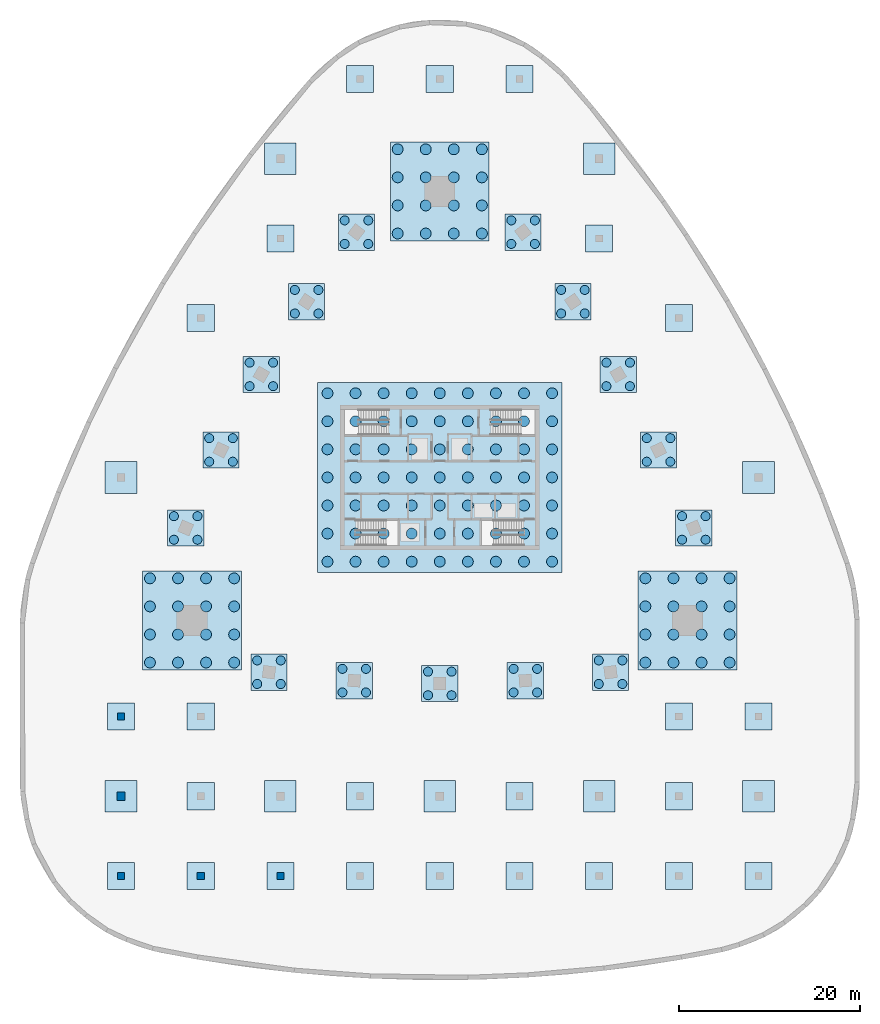
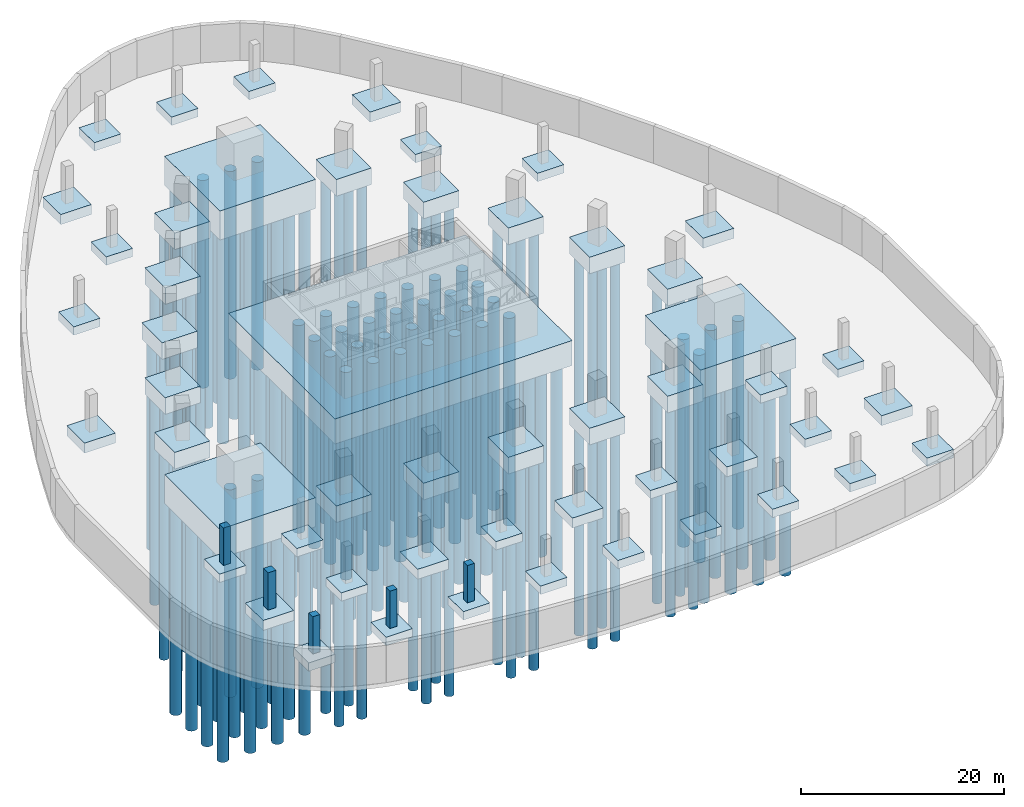
# One storey, part 1 of 8: 171 piles, 52 footings, 5 columns.
"""IFC4 building model written with IfcOpenShell, lengths in metres."""

from ifc_helpers import new_model, si_unit, direction, frame, origin, origin_2d, place, context, subcontext, project, spatial, rectangle, circle, extrude, material, layer, layer_set, material_profile, profile_set, type_object, element, save


model = new_model("IFC4")

# Units and contexts
model_context = context("Model", 3, precision=1e-05, world=origin(), true_north=direction((0.0, 1.0)))
body_context = subcontext(model_context, "Body", "Model", "MODEL_VIEW")
ifc_project = project(units=[si_unit("LENGTHUNIT", "METRE"), si_unit("AREAUNIT", "SQUARE_METRE"), si_unit("VOLUMEUNIT", "CUBIC_METRE"), si_unit("PLANEANGLEUNIT", "RADIAN"), si_unit("MASSUNIT", "GRAM", prefix="KILO")], contexts=[model_context])

# Site, building, storey
site_placement = place(None, origin())
site = spatial("IfcSite", under=ifc_project, at=site_placement, CompositionType="ELEMENT")
building_placement = place(site_placement, origin())
building = spatial("IfcBuilding", under=site, at=building_placement, Name="Sierra Prisma Convention Tower", CompositionType="ELEMENT")
storey_placement = place(building_placement, frame((0.0, 0.0, -9.0)))
storey = spatial("IfcBuildingStorey", under=building, at=storey_placement, Name="B2", CompositionType="ELEMENT", Elevation=-9.0)

# Footings
ifc_material_1 = material(Name="Concrete C40/50", Category="concrete")
footing_type_1 = type_object("IfcFootingType", Name="Basement column pad", PredefinedType="PAD_FOOTING", material=ifc_material_1)
for number, where, z_axis, x_axis, name in (
    (1, (-35.199951171875, -44.0, -1.0), (0.0, 0.0, 1.0), (1.0, 0.0, 0.0), "Basement column pad"),
    (2, (-35.199951171875, -26.39990234375, -1.0), (0.0, 0.0, 1.0), (1.0, 0.0, 0.0), "Basement column pad"),
    (3, (-26.39990234375, -44.0, -1.0), (0.0, 0.0, 1.0), (1.0, 0.0, 0.0), "Basement column pad"),
    (4, (-26.39990234375, -35.199951171875, -1.0), (0.0, 0.0, 1.0), (1.0, 0.0, 0.0), "Basement column pad"),
    (5, (-26.39990234375, -26.39990234375, -1.0), (0.0, 0.0, 1.0), (1.0, 0.0, 0.0), "Basement column pad"),
    (6, (-26.39990234375, 17.60009765625, -1.0), (0.0, 0.0, 1.0), (1.0, 0.0, 0.0), "Basement column pad"),
    (7, (-17.60009765625, -44.0, -1.0), (0.0, 0.0, 1.0), (1.0, 0.0, 0.0), "Basement column pad"),
    (8, (-17.60009765625, 26.39990234375, -1.0), (0.0, 0.0, 1.0), (1.0, 0.0, 0.0), "Basement column pad"),
    (9, (-8.800048828125, -44.0, -1.0), (0.0, 0.0, 1.0), (1.0, 0.0, 0.0), "Basement column pad"),
    (10, (-8.800048828125, -35.199951171875, -1.0), (0.0, 0.0, 1.0), (1.0, 0.0, 0.0), "Basement column pad"),
    (11, (-8.800048828125, 44.0, -1.0), (0.0, 0.0, 1.0), (1.0, 0.0, 0.0), "Basement column pad"),
    (12, (0.0, -44.0, -1.0), (0.0, 0.0, 1.0), (1.0, 0.0, 0.0), "Basement column pad"),
    (13, (0.0, 44.0, -1.0), (0.0, 0.0, 1.0), (1.0, 0.0, 0.0), "Basement column pad"),
    (14, (8.800048828125, -44.0, -1.0), (0.0, 0.0, 1.0), (1.0, 0.0, 0.0), "Basement column pad"),
    (15, (8.800048828125, -35.199951171875, -1.0), (0.0, 0.0, 1.0), (1.0, 0.0, 0.0), "Basement column pad"),
    (16, (8.800048828125, 44.0, -1.0), (0.0, 0.0, 1.0), (1.0, 0.0, 0.0), "Basement column pad"),
    (17, (17.60009765625, -44.0, -1.0), (0.0, 0.0, 1.0), (1.0, 0.0, 0.0), "Basement column pad"),
    (18, (17.60009765625, 26.39990234375, -1.0), (0.0, 0.0, 1.0), (1.0, 0.0, 0.0), "Basement column pad"),
    (19, (26.39990234375, -44.0, -1.0), (0.0, 0.0, 1.0), (1.0, 0.0, 0.0), "Basement column pad"),
    (20, (26.39990234375, -35.199951171875, -1.0), (0.0, 0.0, 1.0), (1.0, 0.0, 0.0), "Basement column pad"),
    (21, (26.39990234375, -26.39990234375, -1.0), (0.0, 0.0, 1.0), (1.0, 0.0, 0.0), "Basement column pad"),
    (22, (26.39990234375, 17.60009765625, -1.0), (0.0, 0.0, 1.0), (1.0, 0.0, 0.0), "Basement column pad"),
    (23, (35.199951171875, -44.0, -1.0), (0.0, 0.0, 1.0), (1.0, 0.0, 0.0), "Basement column pad"),
    (24, (35.199951171875, -26.39990234375, -1.0), (0.0, 0.0, 1.0), (1.0, 0.0, 0.0), "Basement column pad"),
):
    element("IfcFooting", number, at=place(storey_placement, frame(where, z_axis=z_axis, x_axis=x_axis)), inside=storey, type_object=footing_type_1, Name=name, PredefinedType="PAD_FOOTING", context=body_context, shape_type="SweptSolid", body=[
        extrude(rectangle(XDim=3.0, YDim=3.0, at=origin_2d()), origin(), (0.0, 0.0, 1.0), 1.0),
    ])

# Piles
ifc_material_2 = material(Name="Concrete C35/45", Category="concrete")
ifc_material_profile_1 = material_profile(ifc_material_2, circle(Radius=0.5, at=origin_2d()), Name="D1000")
ifc_profile_set_1 = profile_set([ifc_material_profile_1], Name="Concrete C35/45")
pile_type_1 = type_object("IfcPileType", Name="Bored pile D1000", PredefinedType="BORED", material=ifc_profile_set_1)
for number, where, z_axis, x_axis, name in (
    (25, (-20.159912109375, -22.80810546875, -1.89990234375), (0.0, 0.0, -1.0), (1.0, 0.0, 0.0), "Bored pile 001 01"),
    (26, (-20.159912109375, -20.208251953125, -1.89990234375), (0.0, 0.0, -1.0), (1.0, 0.0, 0.0), "Bored pile 001 02"),
    (27, (-17.559814453125, -22.80810546875, -1.89990234375), (0.0, 0.0, -1.0), (1.0, 0.0, 0.0), "Bored pile 001 03"),
    (28, (-17.559814453125, -20.208251953125, -1.89990234375), (0.0, 0.0, -1.0), (1.0, 0.0, 0.0), "Bored pile 001 04"),
    (29, (-10.75048828125, -23.7392578125, -1.89990234375), (0.0, 0.0, -1.0), (1.0, 0.0, 0.0), "Bored pile 002 01"),
    (30, (-10.75048828125, -21.13916015625, -1.89990234375), (0.0, 0.0, -1.0), (1.0, 0.0, 0.0), "Bored pile 002 02"),
    (31, (-8.150390625, -23.7392578125, -1.89990234375), (0.0, 0.0, -1.0), (1.0, 0.0, 0.0), "Bored pile 002 03"),
    (32, (-8.150390625, -21.13916015625, -1.89990234375), (0.0, 0.0, -1.0), (1.0, 0.0, 0.0), "Bored pile 002 04"),
    (33, (-1.300048828125, -24.050048828125, -1.89990234375), (0.0, 0.0, -1.0), (1.0, 0.0, 0.0), "Bored pile 003 01"),
    (34, (-1.300048828125, -21.449951171875, -1.89990234375), (0.0, 0.0, -1.0), (1.0, 0.0, 0.0), "Bored pile 003 02"),
    (35, (1.300048828125, -24.050048828125, -1.89990234375), (0.0, 0.0, -1.0), (1.0, 0.0, 0.0), "Bored pile 003 03"),
    (36, (1.300048828125, -21.449951171875, -1.89990234375), (0.0, 0.0, -1.0), (1.0, 0.0, 0.0), "Bored pile 003 04"),
    (37, (8.150390625, -23.7392578125, -1.89990234375), (0.0, 0.0, -1.0), (1.0, 0.0, 0.0), "Bored pile 004 01"),
    (38, (8.150390625, -21.13916015625, -1.89990234375), (0.0, 0.0, -1.0), (1.0, 0.0, 0.0), "Bored pile 004 02"),
    (39, (10.75048828125, -23.7392578125, -1.89990234375), (0.0, 0.0, -1.0), (1.0, 0.0, 0.0), "Bored pile 004 03"),
    (40, (10.75048828125, -21.13916015625, -1.89990234375), (0.0, 0.0, -1.0), (1.0, 0.0, 0.0), "Bored pile 004 04"),
    (41, (17.559814453125, -22.80810546875, -1.89990234375), (0.0, 0.0, -1.0), (1.0, 0.0, 0.0), "Bored pile 005 01"),
    (42, (17.559814453125, -20.208251953125, -1.89990234375), (0.0, 0.0, -1.0), (1.0, 0.0, 0.0), "Bored pile 005 02"),
    (43, (20.159912109375, -22.80810546875, -1.89990234375), (0.0, 0.0, -1.0), (1.0, 0.0, 0.0), "Bored pile 005 03"),
    (44, (20.159912109375, -20.208251953125, -1.89990234375), (0.0, 0.0, -1.0), (1.0, 0.0, 0.0), "Bored pile 005 04"),
    (45, (26.756591796875, -6.87890625, -1.89990234375), (0.0, 0.0, -1.0), (1.0, 0.0, 0.0), "Bored pile 006 01"),
    (46, (26.756591796875, -4.279052734375, -1.89990234375), (0.0, 0.0, -1.0), (1.0, 0.0, 0.0), "Bored pile 006 02"),
    (47, (29.356689453125, -6.87890625, -1.89990234375), (0.0, 0.0, -1.0), (1.0, 0.0, 0.0), "Bored pile 006 03"),
    (48, (29.356689453125, -4.279052734375, -1.89990234375), (0.0, 0.0, -1.0), (1.0, 0.0, 0.0), "Bored pile 006 04"),
    (49, (22.858154296875, 1.7353515625, -1.89990234375), (0.0, 0.0, -1.0), (1.0, 0.0, 0.0), "Bored pile 007 01"),
    (50, (22.858154296875, 4.33544921875, -1.89990234375), (0.0, 0.0, -1.0), (1.0, 0.0, 0.0), "Bored pile 007 02"),
    (51, (25.4580078125, 1.7353515625, -1.89990234375), (0.0, 0.0, -1.0), (1.0, 0.0, 0.0), "Bored pile 007 03"),
    (52, (25.4580078125, 4.33544921875, -1.89990234375), (0.0, 0.0, -1.0), (1.0, 0.0, 0.0), "Bored pile 007 04"),
    (53, (18.402099609375, 10.074951171875, -1.89990234375), (0.0, 0.0, -1.0), (1.0, 0.0, 0.0), "Bored pile 008 01"),
    (54, (18.402099609375, 12.675048828125, -1.89990234375), (0.0, 0.0, -1.0), (1.0, 0.0, 0.0), "Bored pile 008 02"),
    (55, (21.002197265625, 10.074951171875, -1.89990234375), (0.0, 0.0, -1.0), (1.0, 0.0, 0.0), "Bored pile 008 03"),
    (56, (21.002197265625, 12.675048828125, -1.89990234375), (0.0, 0.0, -1.0), (1.0, 0.0, 0.0), "Bored pile 008 04"),
    (57, (13.40771484375, 18.10400390625, -1.89990234375), (0.0, 0.0, -1.0), (1.0, 0.0, 0.0), "Bored pile 009 01"),
    (58, (13.40771484375, 20.703857421875, -1.89990234375), (0.0, 0.0, -1.0), (1.0, 0.0, 0.0), "Bored pile 009 02"),
    (59, (16.0078125, 18.10400390625, -1.89990234375), (0.0, 0.0, -1.0), (1.0, 0.0, 0.0), "Bored pile 009 03"),
    (60, (16.0078125, 20.703857421875, -1.89990234375), (0.0, 0.0, -1.0), (1.0, 0.0, 0.0), "Bored pile 009 04"),
    (61, (7.896728515625, 25.787353515625, -1.89990234375), (0.0, 0.0, -1.0), (1.0, 0.0, 0.0), "Bored pile 010 01"),
    (62, (7.896728515625, 28.38720703125, -1.89990234375), (0.0, 0.0, -1.0), (1.0, 0.0, 0.0), "Bored pile 010 02"),
    (63, (10.49658203125, 25.787353515625, -1.89990234375), (0.0, 0.0, -1.0), (1.0, 0.0, 0.0), "Bored pile 010 03"),
    (64, (10.49658203125, 28.38720703125, -1.89990234375), (0.0, 0.0, -1.0), (1.0, 0.0, 0.0), "Bored pile 010 04"),
    (65, (-10.49658203125, 25.787353515625, -1.89990234375), (0.0, 0.0, -1.0), (1.0, 0.0, 0.0), "Bored pile 011 01"),
    (66, (-10.49658203125, 28.38720703125, -1.89990234375), (0.0, 0.0, -1.0), (1.0, 0.0, 0.0), "Bored pile 011 02"),
    (67, (-7.896728515625, 25.787353515625, -1.89990234375), (0.0, 0.0, -1.0), (1.0, 0.0, 0.0), "Bored pile 011 03"),
    (68, (-7.896728515625, 28.38720703125, -1.89990234375), (0.0, 0.0, -1.0), (1.0, 0.0, 0.0), "Bored pile 011 04"),
    (69, (-16.0078125, 18.10400390625, -1.89990234375), (0.0, 0.0, -1.0), (1.0, 0.0, 0.0), "Bored pile 012 01"),
    (70, (-16.0078125, 20.703857421875, -1.89990234375), (0.0, 0.0, -1.0), (1.0, 0.0, 0.0), "Bored pile 012 02"),
    (71, (-13.40771484375, 18.10400390625, -1.89990234375), (0.0, 0.0, -1.0), (1.0, 0.0, 0.0), "Bored pile 012 03"),
    (72, (-13.40771484375, 20.703857421875, -1.89990234375), (0.0, 0.0, -1.0), (1.0, 0.0, 0.0), "Bored pile 012 04"),
    (73, (-21.002197265625, 10.074951171875, -1.89990234375), (0.0, 0.0, -1.0), (1.0, 0.0, 0.0), "Bored pile 013 01"),
    (74, (-21.002197265625, 12.675048828125, -1.89990234375), (0.0, 0.0, -1.0), (1.0, 0.0, 0.0), "Bored pile 013 02"),
    (75, (-18.402099609375, 10.074951171875, -1.89990234375), (0.0, 0.0, -1.0), (1.0, 0.0, 0.0), "Bored pile 013 03"),
    (76, (-18.402099609375, 12.675048828125, -1.89990234375), (0.0, 0.0, -1.0), (1.0, 0.0, 0.0), "Bored pile 013 04"),
    (77, (-25.4580078125, 1.7353515625, -1.89990234375), (0.0, 0.0, -1.0), (1.0, 0.0, 0.0), "Bored pile 014 01"),
    (78, (-25.4580078125, 4.33544921875, -1.89990234375), (0.0, 0.0, -1.0), (1.0, 0.0, 0.0), "Bored pile 014 02"),
    (79, (-22.858154296875, 1.7353515625, -1.89990234375), (0.0, 0.0, -1.0), (1.0, 0.0, 0.0), "Bored pile 014 03"),
    (80, (-22.858154296875, 4.33544921875, -1.89990234375), (0.0, 0.0, -1.0), (1.0, 0.0, 0.0), "Bored pile 014 04"),
    (81, (-29.356689453125, -6.87890625, -1.89990234375), (0.0, 0.0, -1.0), (1.0, 0.0, 0.0), "Bored pile 015 01"),
    (82, (-29.356689453125, -4.279052734375, -1.89990234375), (0.0, 0.0, -1.0), (1.0, 0.0, 0.0), "Bored pile 015 02"),
    (83, (-26.756591796875, -6.87890625, -1.89990234375), (0.0, 0.0, -1.0), (1.0, 0.0, 0.0), "Bored pile 015 03"),
    (84, (-26.756591796875, -4.279052734375, -1.89990234375), (0.0, 0.0, -1.0), (1.0, 0.0, 0.0), "Bored pile 015 04"),
):
    element("IfcPile", number, at=place(storey_placement, frame(where, z_axis=z_axis, x_axis=x_axis)), inside=storey, type_object=pile_type_1, Name=name, PredefinedType="BORED", context=body_context, shape_type="SweptSolid", body=[
        extrude(circle(Radius=0.5, at=origin_2d()), origin(), (0.0, 0.0, 1.0), 25.0),
    ])
ifc_material_3 = material(Name="Concrete C35/45", Category="concrete")
ifc_material_profile_2 = material_profile(ifc_material_3, circle(Radius=0.60009765625, at=origin_2d()), Name="D1200")
ifc_profile_set_2 = profile_set([ifc_material_profile_2], Name="Concrete C35/45")
pile_type_2 = type_object("IfcPileType", Name="Bored pile D1200", PredefinedType="BORED", material=ifc_profile_set_2)
for number, where, z_axis, x_axis, name in (
    (85, (22.705078125, -20.443603515625, -3.39990234375), (0.0, 0.0, -1.0), (1.0, 0.0, 0.0), "Bored pile 001 01"),
    (86, (22.705078125, -17.343505859375, -3.39990234375), (0.0, 0.0, -1.0), (1.0, 0.0, 0.0), "Bored pile 001 02"),
    (87, (22.705078125, -14.243408203125, -3.39990234375), (0.0, 0.0, -1.0), (1.0, 0.0, 0.0), "Bored pile 001 03"),
    (88, (22.705078125, -11.1435546875, -3.39990234375), (0.0, 0.0, -1.0), (1.0, 0.0, 0.0), "Bored pile 001 04"),
    (89, (25.80517578125, -20.443603515625, -3.39990234375), (0.0, 0.0, -1.0), (1.0, 0.0, 0.0), "Bored pile 001 05"),
    (90, (25.80517578125, -17.343505859375, -3.39990234375), (0.0, 0.0, -1.0), (1.0, 0.0, 0.0), "Bored pile 001 06"),
    (91, (25.80517578125, -14.243408203125, -3.39990234375), (0.0, 0.0, -1.0), (1.0, 0.0, 0.0), "Bored pile 001 07"),
    (92, (25.80517578125, -11.1435546875, -3.39990234375), (0.0, 0.0, -1.0), (1.0, 0.0, 0.0), "Bored pile 001 08"),
    (93, (28.905029296875, -20.443603515625, -3.39990234375), (0.0, 0.0, -1.0), (1.0, 0.0, 0.0), "Bored pile 001 09"),
    (94, (28.905029296875, -17.343505859375, -3.39990234375), (0.0, 0.0, -1.0), (1.0, 0.0, 0.0), "Bored pile 001 10"),
    (95, (28.905029296875, -14.243408203125, -3.39990234375), (0.0, 0.0, -1.0), (1.0, 0.0, 0.0), "Bored pile 001 11"),
    (96, (28.905029296875, -11.1435546875, -3.39990234375), (0.0, 0.0, -1.0), (1.0, 0.0, 0.0), "Bored pile 001 12"),
    (97, (32.005126953125, -20.443603515625, -3.39990234375), (0.0, 0.0, -1.0), (1.0, 0.0, 0.0), "Bored pile 001 13"),
    (98, (32.005126953125, -17.343505859375, -3.39990234375), (0.0, 0.0, -1.0), (1.0, 0.0, 0.0), "Bored pile 001 14"),
    (99, (32.005126953125, -14.243408203125, -3.39990234375), (0.0, 0.0, -1.0), (1.0, 0.0, 0.0), "Bored pile 001 15"),
    (100, (32.005126953125, -11.1435546875, -3.39990234375), (0.0, 0.0, -1.0), (1.0, 0.0, 0.0), "Bored pile 001 16"),
    (101, (-4.64990234375, 26.93701171875, -3.39990234375), (0.0, 0.0, -1.0), (1.0, 0.0, 0.0), "Bored pile 002 01"),
    (102, (-4.64990234375, 30.037109375, -3.39990234375), (0.0, 0.0, -1.0), (1.0, 0.0, 0.0), "Bored pile 002 02"),
    (103, (-4.64990234375, 33.136962890625, -3.39990234375), (0.0, 0.0, -1.0), (1.0, 0.0, 0.0), "Bored pile 002 03"),
    (104, (-4.64990234375, 36.237060546875, -3.39990234375), (0.0, 0.0, -1.0), (1.0, 0.0, 0.0), "Bored pile 002 04"),
    (105, (-1.550048828125, 26.93701171875, -3.39990234375), (0.0, 0.0, -1.0), (1.0, 0.0, 0.0), "Bored pile 002 05"),
    (106, (-1.550048828125, 30.037109375, -3.39990234375), (0.0, 0.0, -1.0), (1.0, 0.0, 0.0), "Bored pile 002 06"),
    (107, (-1.550048828125, 33.136962890625, -3.39990234375), (0.0, 0.0, -1.0), (1.0, 0.0, 0.0), "Bored pile 002 07"),
    (108, (-1.550048828125, 36.237060546875, -3.39990234375), (0.0, 0.0, -1.0), (1.0, 0.0, 0.0), "Bored pile 002 08"),
    (109, (1.550048828125, 26.93701171875, -3.39990234375), (0.0, 0.0, -1.0), (1.0, 0.0, 0.0), "Bored pile 002 09"),
    (110, (1.550048828125, 30.037109375, -3.39990234375), (0.0, 0.0, -1.0), (1.0, 0.0, 0.0), "Bored pile 002 10"),
    (111, (1.550048828125, 33.136962890625, -3.39990234375), (0.0, 0.0, -1.0), (1.0, 0.0, 0.0), "Bored pile 002 11"),
    (112, (1.550048828125, 36.237060546875, -3.39990234375), (0.0, 0.0, -1.0), (1.0, 0.0, 0.0), "Bored pile 002 12"),
    (113, (4.64990234375, 26.93701171875, -3.39990234375), (0.0, 0.0, -1.0), (1.0, 0.0, 0.0), "Bored pile 002 13"),
    (114, (4.64990234375, 30.037109375, -3.39990234375), (0.0, 0.0, -1.0), (1.0, 0.0, 0.0), "Bored pile 002 14"),
    (115, (4.64990234375, 33.136962890625, -3.39990234375), (0.0, 0.0, -1.0), (1.0, 0.0, 0.0), "Bored pile 002 15"),
    (116, (4.64990234375, 36.237060546875, -3.39990234375), (0.0, 0.0, -1.0), (1.0, 0.0, 0.0), "Bored pile 002 16"),
    (117, (-32.005126953125, -20.443603515625, -3.39990234375), (0.0, 0.0, -1.0), (1.0, 0.0, 0.0), "Bored pile 003 01"),
    (118, (-32.005126953125, -17.343505859375, -3.39990234375), (0.0, 0.0, -1.0), (1.0, 0.0, 0.0), "Bored pile 003 02"),
    (119, (-32.005126953125, -14.243408203125, -3.39990234375), (0.0, 0.0, -1.0), (1.0, 0.0, 0.0), "Bored pile 003 03"),
    (120, (-32.005126953125, -11.1435546875, -3.39990234375), (0.0, 0.0, -1.0), (1.0, 0.0, 0.0), "Bored pile 003 04"),
    (121, (-28.905029296875, -20.443603515625, -3.39990234375), (0.0, 0.0, -1.0), (1.0, 0.0, 0.0), "Bored pile 003 05"),
    (122, (-28.905029296875, -17.343505859375, -3.39990234375), (0.0, 0.0, -1.0), (1.0, 0.0, 0.0), "Bored pile 003 06"),
    (123, (-28.905029296875, -14.243408203125, -3.39990234375), (0.0, 0.0, -1.0), (1.0, 0.0, 0.0), "Bored pile 003 07"),
    (124, (-28.905029296875, -11.1435546875, -3.39990234375), (0.0, 0.0, -1.0), (1.0, 0.0, 0.0), "Bored pile 003 08"),
    (125, (-25.80517578125, -20.443603515625, -3.39990234375), (0.0, 0.0, -1.0), (1.0, 0.0, 0.0), "Bored pile 003 09"),
    (126, (-25.80517578125, -17.343505859375, -3.39990234375), (0.0, 0.0, -1.0), (1.0, 0.0, 0.0), "Bored pile 003 10"),
    (127, (-25.80517578125, -14.243408203125, -3.39990234375), (0.0, 0.0, -1.0), (1.0, 0.0, 0.0), "Bored pile 003 11"),
    (128, (-25.80517578125, -11.1435546875, -3.39990234375), (0.0, 0.0, -1.0), (1.0, 0.0, 0.0), "Bored pile 003 12"),
    (129, (-22.705078125, -20.443603515625, -3.39990234375), (0.0, 0.0, -1.0), (1.0, 0.0, 0.0), "Bored pile 003 13"),
    (130, (-22.705078125, -17.343505859375, -3.39990234375), (0.0, 0.0, -1.0), (1.0, 0.0, 0.0), "Bored pile 003 14"),
    (131, (-22.705078125, -14.243408203125, -3.39990234375), (0.0, 0.0, -1.0), (1.0, 0.0, 0.0), "Bored pile 003 15"),
    (132, (-22.705078125, -11.1435546875, -3.39990234375), (0.0, 0.0, -1.0), (1.0, 0.0, 0.0), "Bored pile 003 16"),
    (133, (-12.39990234375, -9.300048828125, -2.89990234375), (0.0, 0.0, -1.0), (1.0, 0.0, 0.0), "Bored pile 001 01"),
    (134, (-12.39990234375, -6.199951171875, -2.89990234375), (0.0, 0.0, -1.0), (1.0, 0.0, 0.0), "Bored pile 001 02"),
    (135, (-12.39990234375, -3.10009765625, -2.89990234375), (0.0, 0.0, -1.0), (1.0, 0.0, 0.0), "Bored pile 001 03"),
    (136, (-12.39990234375, 0.0, -2.89990234375), (0.0, 0.0, -1.0), (1.0, 0.0, 0.0), "Bored pile 001 04"),
    (137, (-12.39990234375, 3.10009765625, -2.89990234375), (0.0, 0.0, -1.0), (1.0, 0.0, 0.0), "Bored pile 001 05"),
    (138, (-12.39990234375, 6.199951171875, -2.89990234375), (0.0, 0.0, -1.0), (1.0, 0.0, 0.0), "Bored pile 001 06"),
    (139, (-12.39990234375, 9.300048828125, -2.89990234375), (0.0, 0.0, -1.0), (1.0, 0.0, 0.0), "Bored pile 001 07"),
    (140, (-9.300048828125, -9.300048828125, -2.89990234375), (0.0, 0.0, -1.0), (1.0, 0.0, 0.0), "Bored pile 001 08"),
    (141, (-9.300048828125, -6.199951171875, -2.89990234375), (0.0, 0.0, -1.0), (1.0, 0.0, 0.0), "Bored pile 001 09"),
    (142, (-9.300048828125, -3.10009765625, -2.89990234375), (0.0, 0.0, -1.0), (1.0, 0.0, 0.0), "Bored pile 001 10"),
    (143, (-9.300048828125, 0.0, -2.89990234375), (0.0, 0.0, -1.0), (1.0, 0.0, 0.0), "Bored pile 001 11"),
    (144, (-9.300048828125, 3.10009765625, -2.89990234375), (0.0, 0.0, -1.0), (1.0, 0.0, 0.0), "Bored pile 001 12"),
    (145, (-9.300048828125, 6.199951171875, -2.89990234375), (0.0, 0.0, -1.0), (1.0, 0.0, 0.0), "Bored pile 001 13"),
    (146, (-9.300048828125, 9.300048828125, -2.89990234375), (0.0, 0.0, -1.0), (1.0, 0.0, 0.0), "Bored pile 001 14"),
    (147, (-6.199951171875, -9.300048828125, -2.89990234375), (0.0, 0.0, -1.0), (1.0, 0.0, 0.0), "Bored pile 001 15"),
    (148, (-6.199951171875, -6.199951171875, -2.89990234375), (0.0, 0.0, -1.0), (1.0, 0.0, 0.0), "Bored pile 001 16"),
    (149, (-6.199951171875, -3.10009765625, -2.89990234375), (0.0, 0.0, -1.0), (1.0, 0.0, 0.0), "Bored pile 001 17"),
    (150, (-6.199951171875, 0.0, -2.89990234375), (0.0, 0.0, -1.0), (1.0, 0.0, 0.0), "Bored pile 001 18"),
    (151, (-6.199951171875, 3.10009765625, -2.89990234375), (0.0, 0.0, -1.0), (1.0, 0.0, 0.0), "Bored pile 001 19"),
    (152, (-6.199951171875, 6.199951171875, -2.89990234375), (0.0, 0.0, -1.0), (1.0, 0.0, 0.0), "Bored pile 001 20"),
    (153, (-6.199951171875, 9.300048828125, -2.89990234375), (0.0, 0.0, -1.0), (1.0, 0.0, 0.0), "Bored pile 001 21"),
    (154, (-3.10009765625, -9.300048828125, -2.89990234375), (0.0, 0.0, -1.0), (1.0, 0.0, 0.0), "Bored pile 001 22"),
    (155, (-3.10009765625, -6.199951171875, -2.89990234375), (0.0, 0.0, -1.0), (1.0, 0.0, 0.0), "Bored pile 001 23"),
    (156, (-3.10009765625, -3.10009765625, -2.89990234375), (0.0, 0.0, -1.0), (1.0, 0.0, 0.0), "Bored pile 001 24"),
    (157, (-3.10009765625, 0.0, -2.89990234375), (0.0, 0.0, -1.0), (1.0, 0.0, 0.0), "Bored pile 001 25"),
    (158, (-3.10009765625, 3.10009765625, -2.89990234375), (0.0, 0.0, -1.0), (1.0, 0.0, 0.0), "Bored pile 001 26"),
    (159, (-3.10009765625, 6.199951171875, -2.89990234375), (0.0, 0.0, -1.0), (1.0, 0.0, 0.0), "Bored pile 001 27"),
    (160, (-3.10009765625, 9.300048828125, -2.89990234375), (0.0, 0.0, -1.0), (1.0, 0.0, 0.0), "Bored pile 001 28"),
    (161, (0.0, -9.300048828125, -2.89990234375), (0.0, 0.0, -1.0), (1.0, 0.0, 0.0), "Bored pile 001 29"),
    (162, (0.0, -6.199951171875, -2.89990234375), (0.0, 0.0, -1.0), (1.0, 0.0, 0.0), "Bored pile 001 30"),
    (163, (0.0, -3.10009765625, -2.89990234375), (0.0, 0.0, -1.0), (1.0, 0.0, 0.0), "Bored pile 001 31"),
    (164, (0.0, 0.0, -2.89990234375), (0.0, 0.0, -1.0), (1.0, 0.0, 0.0), "Bored pile 001 32"),
    (165, (0.0, 3.10009765625, -2.89990234375), (0.0, 0.0, -1.0), (1.0, 0.0, 0.0), "Bored pile 001 33"),
    (166, (0.0, 6.199951171875, -2.89990234375), (0.0, 0.0, -1.0), (1.0, 0.0, 0.0), "Bored pile 001 34"),
    (167, (0.0, 9.300048828125, -2.89990234375), (0.0, 0.0, -1.0), (1.0, 0.0, 0.0), "Bored pile 001 35"),
    (168, (3.10009765625, -9.300048828125, -2.89990234375), (0.0, 0.0, -1.0), (1.0, 0.0, 0.0), "Bored pile 001 36"),
    (169, (3.10009765625, -6.199951171875, -2.89990234375), (0.0, 0.0, -1.0), (1.0, 0.0, 0.0), "Bored pile 001 37"),
    (170, (3.10009765625, -3.10009765625, -2.89990234375), (0.0, 0.0, -1.0), (1.0, 0.0, 0.0), "Bored pile 001 38"),
    (171, (3.10009765625, 0.0, -2.89990234375), (0.0, 0.0, -1.0), (1.0, 0.0, 0.0), "Bored pile 001 39"),
    (172, (3.10009765625, 3.10009765625, -2.89990234375), (0.0, 0.0, -1.0), (1.0, 0.0, 0.0), "Bored pile 001 40"),
    (173, (3.10009765625, 6.199951171875, -2.89990234375), (0.0, 0.0, -1.0), (1.0, 0.0, 0.0), "Bored pile 001 41"),
    (174, (3.10009765625, 9.300048828125, -2.89990234375), (0.0, 0.0, -1.0), (1.0, 0.0, 0.0), "Bored pile 001 42"),
    (175, (6.199951171875, -9.300048828125, -2.89990234375), (0.0, 0.0, -1.0), (1.0, 0.0, 0.0), "Bored pile 001 43"),
    (176, (6.199951171875, -6.199951171875, -2.89990234375), (0.0, 0.0, -1.0), (1.0, 0.0, 0.0), "Bored pile 001 44"),
    (177, (6.199951171875, -3.10009765625, -2.89990234375), (0.0, 0.0, -1.0), (1.0, 0.0, 0.0), "Bored pile 001 45"),
    (178, (6.199951171875, 0.0, -2.89990234375), (0.0, 0.0, -1.0), (1.0, 0.0, 0.0), "Bored pile 001 46"),
    (179, (6.199951171875, 3.10009765625, -2.89990234375), (0.0, 0.0, -1.0), (1.0, 0.0, 0.0), "Bored pile 001 47"),
    (180, (6.199951171875, 6.199951171875, -2.89990234375), (0.0, 0.0, -1.0), (1.0, 0.0, 0.0), "Bored pile 001 48"),
    (181, (6.199951171875, 9.300048828125, -2.89990234375), (0.0, 0.0, -1.0), (1.0, 0.0, 0.0), "Bored pile 001 49"),
    (182, (9.300048828125, -9.300048828125, -2.89990234375), (0.0, 0.0, -1.0), (1.0, 0.0, 0.0), "Bored pile 001 50"),
    (183, (9.300048828125, -6.199951171875, -2.89990234375), (0.0, 0.0, -1.0), (1.0, 0.0, 0.0), "Bored pile 001 51"),
    (184, (9.300048828125, -3.10009765625, -2.89990234375), (0.0, 0.0, -1.0), (1.0, 0.0, 0.0), "Bored pile 001 52"),
    (185, (9.300048828125, 0.0, -2.89990234375), (0.0, 0.0, -1.0), (1.0, 0.0, 0.0), "Bored pile 001 53"),
    (186, (9.300048828125, 3.10009765625, -2.89990234375), (0.0, 0.0, -1.0), (1.0, 0.0, 0.0), "Bored pile 001 54"),
    (187, (9.300048828125, 6.199951171875, -2.89990234375), (0.0, 0.0, -1.0), (1.0, 0.0, 0.0), "Bored pile 001 55"),
    (188, (9.300048828125, 9.300048828125, -2.89990234375), (0.0, 0.0, -1.0), (1.0, 0.0, 0.0), "Bored pile 001 56"),
    (189, (12.39990234375, -9.300048828125, -2.89990234375), (0.0, 0.0, -1.0), (1.0, 0.0, 0.0), "Bored pile 001 57"),
    (190, (12.39990234375, -6.199951171875, -2.89990234375), (0.0, 0.0, -1.0), (1.0, 0.0, 0.0), "Bored pile 001 58"),
    (191, (12.39990234375, -3.10009765625, -2.89990234375), (0.0, 0.0, -1.0), (1.0, 0.0, 0.0), "Bored pile 001 59"),
    (192, (12.39990234375, 0.0, -2.89990234375), (0.0, 0.0, -1.0), (1.0, 0.0, 0.0), "Bored pile 001 60"),
    (193, (12.39990234375, 3.10009765625, -2.89990234375), (0.0, 0.0, -1.0), (1.0, 0.0, 0.0), "Bored pile 001 61"),
    (194, (12.39990234375, 6.199951171875, -2.89990234375), (0.0, 0.0, -1.0), (1.0, 0.0, 0.0), "Bored pile 001 62"),
    (195, (12.39990234375, 9.300048828125, -2.89990234375), (0.0, 0.0, -1.0), (1.0, 0.0, 0.0), "Bored pile 001 63"),
):
    element("IfcPile", number, at=place(storey_placement, frame(where, z_axis=z_axis, x_axis=x_axis)), inside=storey, type_object=pile_type_2, Name=name, PredefinedType="BORED", context=body_context, shape_type="SweptSolid", body=[
        extrude(circle(Radius=0.60009765625, at=origin_2d()), origin(), (0.0, 0.0, 1.0), 25.0),
    ])

# Footings
ifc_material_4 = material(Name="Concrete C40/50", Category="concrete")
footing_type_2 = type_object("IfcFootingType", Name="Column pile cap", PredefinedType="PILE_CAP", material=ifc_material_4)
for number, where, z_axis, x_axis, name in (
    (196, (-18.85986328125, -21.50830078125, -2.0), (0.0, 0.0, 1.0), (1.0, 0.0, 0.0), "Column pile cap"),
    (197, (-9.450439453125, -22.439208984375, -2.0), (0.0, 0.0, 1.0), (1.0, 0.0, 0.0), "Column pile cap"),
    (198, (0.0, -22.75, -2.0), (0.0, 0.0, 1.0), (1.0, 0.0, 0.0), "Column pile cap"),
    (199, (9.450439453125, -22.439208984375, -2.0), (0.0, 0.0, 1.0), (1.0, 0.0, 0.0), "Column pile cap"),
    (200, (18.85986328125, -21.50830078125, -2.0), (0.0, 0.0, 1.0), (1.0, 0.0, 0.0), "Column pile cap"),
    (201, (28.056640625, -5.5791015625, -2.0), (0.0, 0.0, 1.0), (1.0, 0.0, 0.0), "Column pile cap"),
    (202, (24.158203125, 3.035400390625, -2.0), (0.0, 0.0, 1.0), (1.0, 0.0, 0.0), "Column pile cap"),
    (203, (19.7021484375, 11.375, -2.0), (0.0, 0.0, 1.0), (1.0, 0.0, 0.0), "Column pile cap"),
    (204, (14.707763671875, 19.40380859375, -2.0), (0.0, 0.0, 1.0), (1.0, 0.0, 0.0), "Column pile cap"),
    (205, (9.19677734375, 27.08740234375, -2.0), (0.0, 0.0, 1.0), (1.0, 0.0, 0.0), "Column pile cap"),
    (206, (-9.19677734375, 27.08740234375, -2.0), (0.0, 0.0, 1.0), (1.0, 0.0, 0.0), "Column pile cap"),
    (207, (-14.707763671875, 19.40380859375, -2.0), (0.0, 0.0, 1.0), (1.0, 0.0, 0.0), "Column pile cap"),
    (208, (-19.7021484375, 11.375, -2.0), (0.0, 0.0, 1.0), (1.0, 0.0, 0.0), "Column pile cap"),
    (209, (-24.158203125, 3.035400390625, -2.0), (0.0, 0.0, 1.0), (1.0, 0.0, 0.0), "Column pile cap"),
    (210, (-28.056640625, -5.5791015625, -2.0), (0.0, 0.0, 1.0), (1.0, 0.0, 0.0), "Column pile cap"),
):
    element("IfcFooting", number, at=place(storey_placement, frame(where, z_axis=z_axis, x_axis=x_axis)), inside=storey, type_object=footing_type_2, Name=name, PredefinedType="PILE_CAP", context=body_context, shape_type="SweptSolid", body=[
        extrude(rectangle(XDim=4.0, YDim=4.0, at=origin_2d()), origin(), (0.0, 0.0, 1.0), 2.0),
    ])
ifc_material_5 = material(Name="Concrete C40/50", Category="concrete")
ifc_layer = layer(ifc_material_5, 3.0)
ifc_layer_set = layer_set([ifc_layer], Name="Core raft")
footing_type_3 = type_object("IfcFootingType", Name="Core raft", PredefinedType="PAD_FOOTING", material=ifc_layer_set)
footing_placement = place(storey_placement, frame((0.0, 0.0, -3.0), z_axis=(0.0, 0.0, 1.0), x_axis=(1.0, 0.0, 0.0)))
element("IfcFooting", 211, at=footing_placement, inside=storey, type_object=footing_type_3, Name="Core raft", PredefinedType="PAD_FOOTING", context=body_context, shape_type="SweptSolid", body=[
    extrude(rectangle(XDim=27.0, YDim=21.0, at=origin_2d()), origin(), (0.0, 0.0, 1.0), 3.0),
])
ifc_material_6 = material(Name="Concrete C40/50", Category="concrete")
footing_type_4 = type_object("IfcFootingType", Name="Hall column pad", PredefinedType="PAD_FOOTING", material=ifc_material_6)
for number, where, z_axis, x_axis, name in (
    (212, (-35.199951171875, -35.199951171875, -1.2001953125), (0.0, 0.0, 1.0), (1.0, 0.0, 0.0), "Hall column pad"),
    (213, (-35.199951171875, 0.0, -1.2001953125), (0.0, 0.0, 1.0), (1.0, 0.0, 0.0), "Hall column pad"),
    (214, (-17.60009765625, -35.199951171875, -1.2001953125), (0.0, 0.0, 1.0), (1.0, 0.0, 0.0), "Hall column pad"),
    (215, (-17.60009765625, 35.199951171875, -1.2001953125), (0.0, 0.0, 1.0), (1.0, 0.0, 0.0), "Hall column pad"),
    (216, (0.0, -35.199951171875, -1.2001953125), (0.0, 0.0, 1.0), (1.0, 0.0, 0.0), "Hall column pad"),
    (217, (17.60009765625, -35.199951171875, -1.2001953125), (0.0, 0.0, 1.0), (1.0, 0.0, 0.0), "Hall column pad"),
    (218, (17.60009765625, 35.199951171875, -1.2001953125), (0.0, 0.0, 1.0), (1.0, 0.0, 0.0), "Hall column pad"),
    (219, (35.199951171875, -35.199951171875, -1.2001953125), (0.0, 0.0, 1.0), (1.0, 0.0, 0.0), "Hall column pad"),
    (220, (35.199951171875, 0.0, -1.2001953125), (0.0, 0.0, 1.0), (1.0, 0.0, 0.0), "Hall column pad"),
):
    element("IfcFooting", number, at=place(storey_placement, frame(where, z_axis=z_axis, x_axis=x_axis)), inside=storey, type_object=footing_type_4, Name=name, PredefinedType="PAD_FOOTING", context=body_context, shape_type="SweptSolid", body=[
        extrude(rectangle(XDim=3.5, YDim=3.5, at=origin_2d()), origin(), (0.0, 0.0, 1.0), 1.199951171875),
    ])
ifc_material_7 = material(Name="Concrete C40/50", Category="concrete")
footing_type_5 = type_object("IfcFootingType", Name="Mega pile cap", PredefinedType="PILE_CAP", material=ifc_material_7)
for number, where, z_axis, x_axis, name in (
    (221, (27.355224609375, -15.79345703125, -3.5), (0.0, 0.0, 1.0), (1.0, 0.0, 0.0), "Mega pile cap"),
    (222, (0.0, 31.5869140625, -3.5), (0.0, 0.0, 1.0), (1.0, 0.0, 0.0), "Mega pile cap"),
    (223, (-27.355224609375, -15.79345703125, -3.5), (0.0, 0.0, 1.0), (1.0, 0.0, 0.0), "Mega pile cap"),
):
    element("IfcFooting", number, at=place(storey_placement, frame(where, z_axis=z_axis, x_axis=x_axis)), inside=storey, type_object=footing_type_5, Name=name, PredefinedType="PILE_CAP", context=body_context, shape_type="SweptSolid", body=[
        extrude(rectangle(XDim=10.89990234375, YDim=10.89990234375, at=origin_2d()), origin(), (0.0, 0.0, 1.0), 3.5),
    ])

# Columns
ifc_material_8 = material(Name="Concrete C60/75", Category="concrete")
ifc_material_profile_3 = material_profile(ifc_material_8, rectangle(XDim=0.800048828125, YDim=0.800048828125, at=origin_2d()), Name="Basement column RC 800 C60/75")
ifc_profile_set_3 = profile_set([ifc_material_profile_3], Name="Concrete C60/75")
column_type_1 = type_object("IfcColumnType", Name="Basement column RC 800 C60/75", PredefinedType="COLUMN", material=ifc_profile_set_3)
for number, where, z_axis, x_axis, name in (
    (224, (-35.199951171875, -44.0, 0.0), (0.0, 0.0, 1.0), (1.0, 0.0, 0.0), "Column B2 -35.2 -44.0"),
    (225, (-35.199951171875, -26.39990234375, 0.0), (0.0, 0.0, 1.0), (1.0, 0.0, 0.0), "Column B2 -35.2 -26.4"),
    (226, (-26.39990234375, -44.0, 0.0), (0.0, 0.0, 1.0), (1.0, 0.0, 0.0), "Column B2 -26.4 -44.0"),
    (227, (-17.60009765625, -44.0, 0.0), (0.0, 0.0, 1.0), (1.0, 0.0, 0.0), "Column B2 -17.6 -44.0"),
):
    element("IfcColumn", number, at=place(storey_placement, frame(where, z_axis=z_axis, x_axis=x_axis)), inside=storey, type_object=column_type_1, Name=name, PredefinedType="COLUMN", context=body_context, shape_type="SweptSolid", body=[
        extrude(rectangle(XDim=0.800048828125, YDim=0.800048828125, at=origin_2d()), origin(), (0.0, 0.0, 1.0), 4.5),
    ])
ifc_material_9 = material(Name="Concrete C70/85", Category="concrete")
ifc_material_profile_4 = material_profile(ifc_material_9, rectangle(XDim=0.89990234375, YDim=0.89990234375, at=origin_2d()), Name="Hall column RC 900 C70/85")
ifc_profile_set_4 = profile_set([ifc_material_profile_4], Name="Concrete C70/85")
column_type_2 = type_object("IfcColumnType", Name="Hall column RC 900 C70/85", PredefinedType="COLUMN", material=ifc_profile_set_4)
column_placement = place(storey_placement, frame((-35.199951171875, -35.199951171875, 0.0), z_axis=(0.0, 0.0, 1.0), x_axis=(1.0, 0.0, 0.0)))
element("IfcColumn", 228, at=column_placement, inside=storey, type_object=column_type_2, Name="Column B2 -35.2 -35.2", PredefinedType="COLUMN", context=body_context, shape_type="SweptSolid", body=[
    extrude(rectangle(XDim=0.89990234375, YDim=0.89990234375, at=origin_2d()), origin(), (0.0, 0.0, 1.0), 4.5),
])

save(model, "model.ifc")
